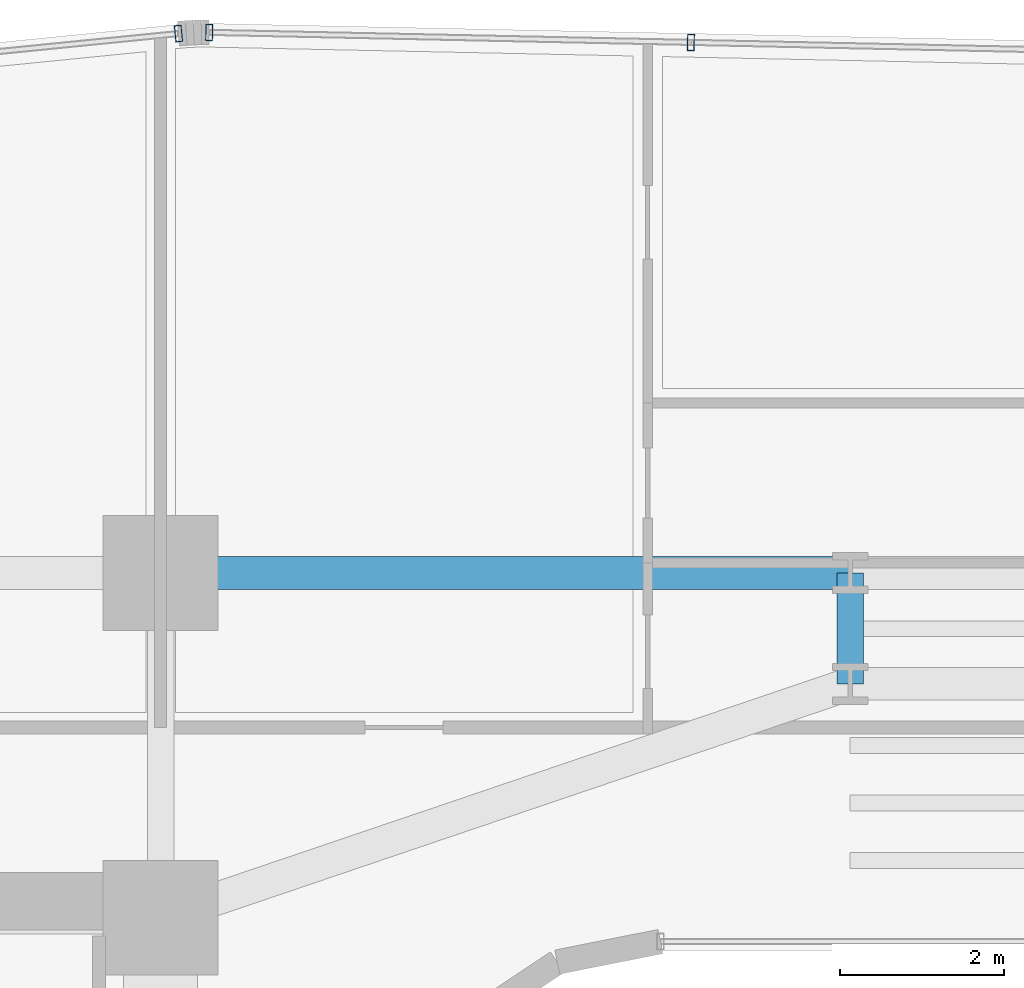
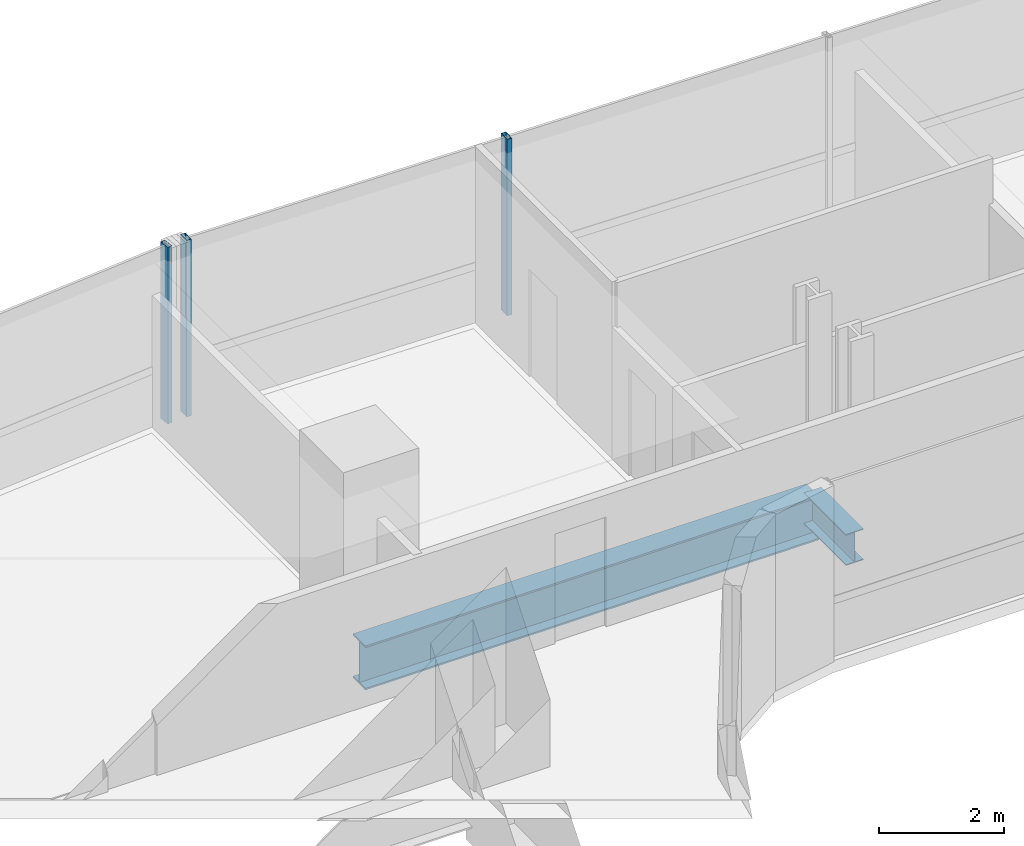
# One storey, part 21 of 41: 3 members, 2 beams, 2 elements without a shape of their own.
"""IFC4 building model written with IfcOpenShell, lengths in metres."""

from ifc_helpers import new_model, si_unit, direction, frame, origin, origin_2d, place, context, subcontext, project, spatial, hollow_rectangle, i_section, extrude, source, transform, mapped, material, material_profile, profile_set, type_object, element, aggregate, save


model = new_model("IFC4")

# Units and contexts
model_context = context("Model", 3, precision=1e-05, world=origin(), true_north=direction((0.0, 1.0)))
body_context = subcontext(model_context, "Body", "Model", "MODEL_VIEW")
ifc_project = project(units=[si_unit("LENGTHUNIT", "METRE"), si_unit("AREAUNIT", "SQUARE_METRE"), si_unit("VOLUMEUNIT", "CUBIC_METRE"), si_unit("PLANEANGLEUNIT", "RADIAN"), si_unit("MASSUNIT", "GRAM", prefix="KILO")], contexts=[model_context])

# Site, building, storey
site_placement = place(None, origin())
site = spatial("IfcSite", under=ifc_project, at=site_placement, CompositionType="ELEMENT")
building_placement = place(site_placement, origin())
building = spatial("IfcBuilding", under=site, at=building_placement, Name="Valdorenza Pilgrim Sanctuary Tower", CompositionType="ELEMENT")
storey_placement = place(building_placement, frame((0.0, 0.0, 88.89990234375)))
storey = spatial("IfcBuildingStorey", under=building, at=storey_placement, Name="L22", CompositionType="ELEMENT", Elevation=88.89990234375)

# Beams
ifc_material_1 = material(Name="Steel ASTM A992 Grade 50", Category="steel")
ifc_material_profile_1 = material_profile(ifc_material_1, i_section(OverallWidth=0.39990234375, OverallDepth=0.862060546875, WebThickness=0.019775390625, FlangeThickness=0.032470703125, at=origin_2d()), Name="W33X221")
ifc_profile_set_1 = profile_set([ifc_material_profile_1], Name="Steel ASTM A992 Grade 50")
beam_type_1 = type_object("IfcBeamType", Name="STR-BM-GRD-W33", PredefinedType="BEAM", material=ifc_profile_set_1)
shared_shape_1 = source(origin(), body_context, "Body", "SweptSolid", [
    extrude(i_section(OverallWidth=0.39990234375, OverallDepth=0.862060546875, WebThickness=0.019775390625, FlangeThickness=0.032470703125, at=origin_2d()), origin(), (0.0, 0.0, 1.0), 8.39990234375),
])
beam_1_placement = place(storey_placement, frame((-12.39990234375, 14.800048828125, -0.6708984375), z_axis=(1.0, 0.0, 0.0), x_axis=(0.0, 1.0, 0.0)))
element("IfcBeam", 1, at=beam_1_placement, inside=storey, type_object=beam_type_1, Name="L22 Floor Girder KNK-G4", PredefinedType="BEAM", context=body_context, shape_type="MappedRepresentation", body=[
    mapped(shared_shape_1, transform((0.0, 0.0, 0.0), x_axis=(1.0, 0.0, 0.0), y_axis=(0.0, 1.0, 0.0), z_axis=(0.0, 0.0, 1.0), scale=1.0)),
])
ifc_material_profile_2 = material_profile(ifc_material_1, i_section(OverallWidth=0.323974609375, OverallDepth=0.611083984375, WebThickness=0.0126953125, FlangeThickness=0.01904296875, at=origin_2d()), Name="W24X104")
ifc_profile_set_2 = profile_set([ifc_material_profile_2], Name="Steel ASTM A992 Grade 50")
beam_type_2 = type_object("IfcBeamType", Name="STR-BM-GRD-W24B", PredefinedType="BEAM", material=ifc_profile_set_2)
shared_shape_2 = source(origin(), body_context, "Body", "SweptSolid", [
    extrude(i_section(OverallWidth=0.323974609375, OverallDepth=0.611083984375, WebThickness=0.0126953125, FlangeThickness=0.01904296875, at=origin_2d()), origin(), (0.0, 0.0, 1.0), 1.35009765625),
])
beam_2_placement = place(storey_placement, frame((-4.0, 13.449951171875, -0.54541015625), z_axis=(0.0, 1.0, 0.0), x_axis=(-1.0, 0.0, 0.0)))
element("IfcBeam", 2, at=beam_2_placement, inside=storey, type_object=beam_type_2, Name="L22 Floor Girder KNK-TIE-W", PredefinedType="BEAM", context=body_context, shape_type="MappedRepresentation", body=[
    mapped(shared_shape_2, transform((0.0, 0.0, 0.0), x_axis=(1.0, 0.0, 0.0), y_axis=(0.0, 1.0, 0.0), z_axis=(0.0, 0.0, 1.0), scale=1.0)),
])

# Curtain wall, member
ifc_material_2 = material(Name="Curtain-wall IGU glazing", Category="glass")
curtain_wall_type = type_object("IfcCurtainWallType", Name="CW-SYS-02", PredefinedType="NOTDEFINED", material=ifc_material_2)
curtain_wall_1_placement = place(storey_placement, origin())
curtain_wall_1 = element("IfcCurtainWall", 3, at=curtain_wall_1_placement, inside=storey, type_object=curtain_wall_type, Name="L22 Curtain Wall CW-L22-1-6", PredefinedType="NOTDEFINED")
ifc_material_3 = material(Name="Anodised aluminium AW-6060", Category="aluminium")
ifc_material_profile_3 = material_profile(ifc_material_3, hollow_rectangle(XDim=0.0849609375, YDim=0.199951171875, WallThickness=0.0048828125, at=origin_2d()), Name="ALU-M 200x85x5")
ifc_profile_set_3 = profile_set([ifc_material_profile_3], Name="Anodised aluminium AW-6060")
member_type = type_object("IfcMemberType", Name="CW-MUL-02", PredefinedType="MULLION", material=ifc_profile_set_3)
shared_shape_3 = source(origin(), body_context, "Body", "SweptSolid", [
    extrude(hollow_rectangle(XDim=0.0849609375, YDim=0.199951171875, WallThickness=0.0048828125, at=origin_2d()), origin(), (0.0, 0.0, 1.0), 3.460205078125),
])
member_1_placement = place(storey_placement, frame((-12.181884765625, 21.371337890625, 0.0), z_axis=(0.0, 0.0, 1.0), x_axis=(0.995038220239, 0.099493418189, 0.0)))
member_1 = element("IfcMember", 4, at=member_1_placement, type_object=member_type, Name="CW-L22-1-6 Mullion 4", PredefinedType="MULLION", context=body_context, shape_type="MappedRepresentation", body=[
    mapped(shared_shape_3, transform((0.0, 0.0, 0.0), x_axis=(1.0, 0.0, 0.0), y_axis=(0.0, 1.0, 0.0), z_axis=(0.0, 0.0, 1.0), scale=1.0)),
])
aggregate(curtain_wall_1, [member_1])

# Curtain wall, members
curtain_wall_2_placement = place(storey_placement, origin())
curtain_wall_2 = element("IfcCurtainWall", 5, at=curtain_wall_2_placement, inside=storey, type_object=curtain_wall_type, Name="L22 Curtain Wall CW-L22-1-11", PredefinedType="NOTDEFINED")
member_2_placement = place(storey_placement, frame((-11.808349609375, 21.385986328125, 0.0), z_axis=(0.0, 0.0, 1.0), x_axis=(0.999783234613, -0.020820273474, 0.0)))
member_2 = element("IfcMember", 6, at=member_2_placement, type_object=member_type, Name="CW-L22-1-11 Mullion 1", PredefinedType="MULLION", context=body_context, shape_type="MappedRepresentation", body=[
    mapped(shared_shape_3, transform((0.0, 0.0, 0.0), x_axis=(1.0, 0.0, 0.0), y_axis=(0.0, 1.0, 0.0), z_axis=(0.0, 0.0, 1.0), scale=1.0)),
])
member_3_placement = place(storey_placement, frame((-5.93994140625, 21.263671875, 0.0), z_axis=(0.0, 0.0, 1.0), x_axis=(0.999783234613, -0.020820273474, 0.0)))
member_3 = element("IfcMember", 7, at=member_3_placement, type_object=member_type, Name="CW-L22-1-11 Mullion 2", PredefinedType="MULLION", context=body_context, shape_type="MappedRepresentation", body=[
    mapped(shared_shape_3, transform((0.0, 0.0, 0.0), x_axis=(1.0, 0.0, 0.0), y_axis=(0.0, 1.0, 0.0), z_axis=(0.0, 0.0, 1.0), scale=1.0)),
])
aggregate(curtain_wall_2, [member_2, member_3])

save(model, "model.ifc")
